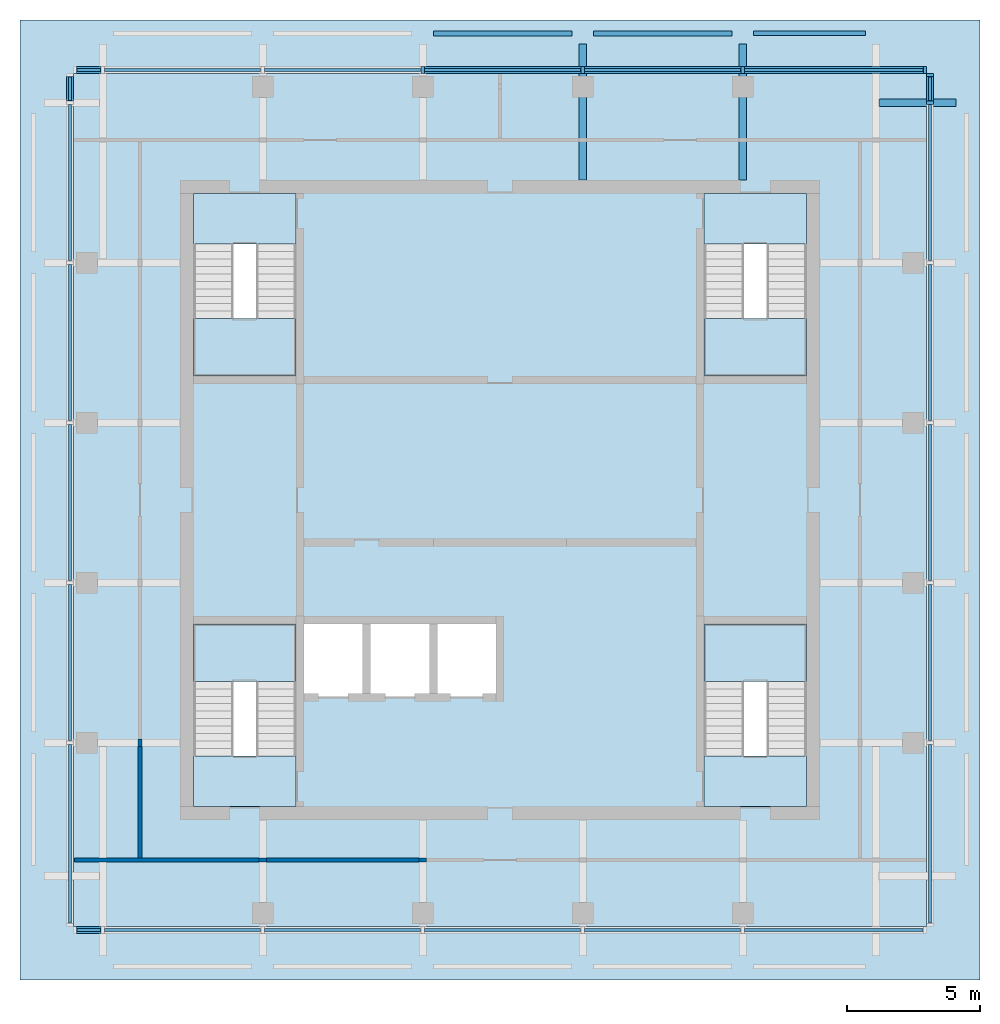
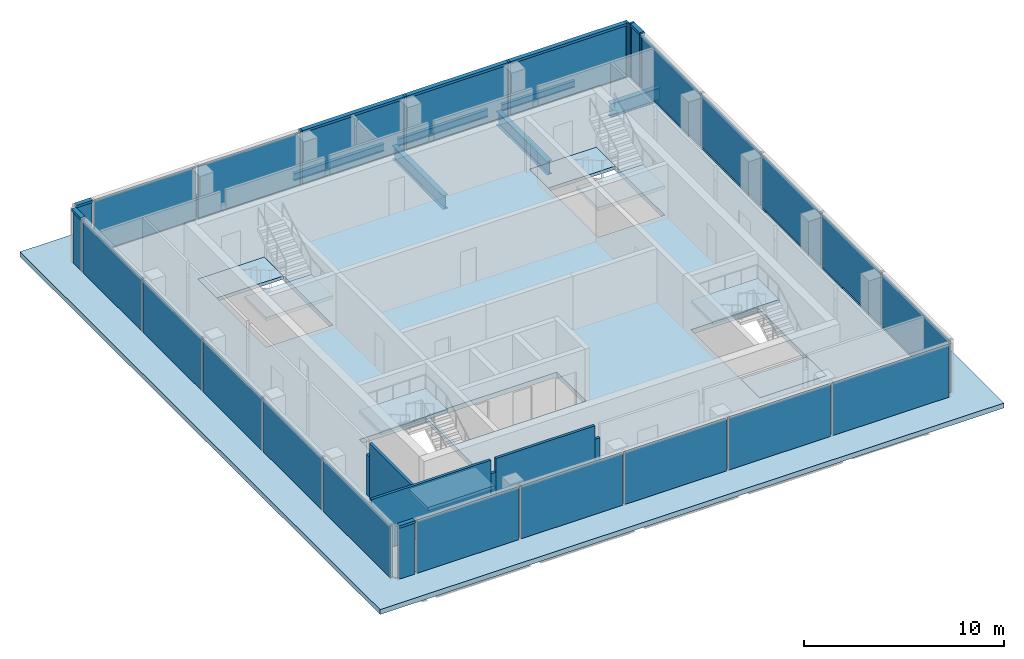
# One storey, part 2 of 5: 24 plates, 13 members, 10 slabs, 6 beams, 6 walls, 8 elements without a shape of their own.
"""IFC4 building model written with IfcOpenShell, lengths in metres."""

from ifc_helpers import new_model, si_unit, direction, frame, frame_2d, origin, origin_2d, place, context, subcontext, project, spatial, polyline, rectangle, i_section, outline, extrude, material, layer, layer_set, material_profile, profile_set, type_object, element, aggregate, save


model = new_model("IFC4")

# Units and contexts
model_context = context("Model", 3, precision=1e-05, world=origin(), true_north=direction((0.0, 1.0)))
body_context = subcontext(model_context, "Body", "Model", "MODEL_VIEW")
ifc_project = project(units=[si_unit("LENGTHUNIT", "METRE"), si_unit("AREAUNIT", "SQUARE_METRE"), si_unit("VOLUMEUNIT", "CUBIC_METRE"), si_unit("PLANEANGLEUNIT", "RADIAN"), si_unit("MASSUNIT", "GRAM", prefix="KILO")], contexts=[model_context])

# Site, building, storey
site_placement = place(None, origin())
site = spatial("IfcSite", under=ifc_project, at=site_placement, CompositionType="ELEMENT")
building_placement = place(site_placement, origin())
building = spatial("IfcBuilding", under=site, at=building_placement, Name="Amberfall Residences", CompositionType="ELEMENT")
storey_placement = place(building_placement, frame((0.0, 0.0, 294.39990234375)))
storey = spatial("IfcBuildingStorey", under=building, at=storey_placement, Name="L79 Crown", CompositionType="ELEMENT", Elevation=294.39990234375)

# Curtain wall, members
ifc_material_1 = material(Name="Bronze anodised aluminium and glass", Category="aluminium")
curtain_wall_type = type_object("IfcCurtainWallType", Name="Curtain wall CW6 crown louvre", PredefinedType="USERDEFINED", material=ifc_material_1)
curtain_wall_1_placement = place(storey_placement, origin())
curtain_wall_1 = element("IfcCurtainWall", 1, at=curtain_wall_1_placement, inside=storey, type_object=curtain_wall_type, Name="Curtain wall L79 Crown E E1", ObjectType="UNITISED CURTAIN WALL", PredefinedType="USERDEFINED")
ifc_material_2 = material(Name="Bronze anodised aluminium", Category="aluminium")
ifc_material_profile_1 = material_profile(ifc_material_2, rectangle(XDim=0.25, YDim=0.1201171875, at=origin_2d()), Name="CW6 mullion 120 x 250 bronze")
ifc_profile_set_1 = profile_set([ifc_material_profile_1], Name="Bronze anodised aluminium")
member_type_1 = type_object("IfcMemberType", Name="CW6 mullion 120 x 250 bronze", PredefinedType="MULLION", material=ifc_profile_set_1)
member_1_placement = place(storey_placement, frame((90.625, 60.39990234375, 0.0), z_axis=(0.0, 0.0, 1.0), x_axis=(-1.0, 0.0, 0.0)))
member_1 = element("IfcMember", 2, at=member_1_placement, type_object=member_type_1, Name="CW6 mullion 6", PredefinedType="MULLION", context=body_context, shape_type="SweptSolid", body=[
    extrude(rectangle(XDim=0.25, YDim=0.1201171875, at=origin_2d()), origin(), (0.0, 0.0, 1.0), 3.300048828125),
])
member_2_placement = place(storey_placement, frame((90.625, 61.43994140625, 0.0), z_axis=(0.0, 0.0, 1.0), x_axis=(-1.0, 0.0, 0.0)))
member_2 = element("IfcMember", 3, at=member_2_placement, type_object=member_type_1, Name="CW6 mullion 7", PredefinedType="MULLION", context=body_context, shape_type="SweptSolid", body=[
    extrude(rectangle(XDim=0.25, YDim=0.1201171875, at=origin_2d()), origin(), (0.0, 0.0, 1.0), 3.300048828125),
])

curtain_wall_2_placement = place(storey_placement, origin())
curtain_wall_2 = element("IfcCurtainWall", 4, at=curtain_wall_2_placement, inside=storey, type_object=curtain_wall_type, Name="Curtain wall L79 Crown N N1", ObjectType="UNITISED CURTAIN WALL", PredefinedType="USERDEFINED")
member_3_placement = place(storey_placement, frame((90.43994140625, 61.625, 0.0), z_axis=(0.0, 0.0, 1.0), x_axis=(0.0, -1.0, 0.0)))
member_3 = element("IfcMember", 5, at=member_3_placement, type_object=member_type_1, Name="CW6 mullion 1", PredefinedType="MULLION", context=body_context, shape_type="SweptSolid", body=[
    extrude(rectangle(XDim=0.25, YDim=0.1201171875, at=origin_2d()), origin(), (0.0, 0.0, 1.0), 3.300048828125),
])
member_4_placement = place(storey_placement, frame((83.60009765625, 61.625, 0.0), z_axis=(0.0, 0.0, 1.0), x_axis=(0.0, -1.0, 0.0)))
member_4 = element("IfcMember", 6, at=member_4_placement, type_object=member_type_1, Name="CW6 mullion 2", PredefinedType="MULLION", context=body_context, shape_type="SweptSolid", body=[
    extrude(rectangle(XDim=0.25, YDim=0.1201171875, at=origin_2d()), origin(), (0.0, 0.0, 1.0), 3.300048828125),
])
member_5_placement = place(storey_placement, frame((77.60009765625, 61.625, 0.0), z_axis=(0.0, 0.0, 1.0), x_axis=(0.0, -1.0, 0.0)))
member_5 = element("IfcMember", 7, at=member_5_placement, type_object=member_type_1, Name="CW6 mullion 3", PredefinedType="MULLION", context=body_context, shape_type="SweptSolid", body=[
    extrude(rectangle(XDim=0.25, YDim=0.1201171875, at=origin_2d()), origin(), (0.0, 0.0, 1.0), 3.300048828125),
])
member_6_placement = place(storey_placement, frame((71.60009765625, 61.625, 0.0), z_axis=(0.0, 0.0, 1.0), x_axis=(0.0, -1.0, 0.0)))
member_6 = element("IfcMember", 8, at=member_6_placement, type_object=member_type_1, Name="CW6 mullion 4", PredefinedType="MULLION", context=body_context, shape_type="SweptSolid", body=[
    extrude(rectangle(XDim=0.25, YDim=0.1201171875, at=origin_2d()), origin(), (0.0, 0.0, 1.0), 3.300048828125),
])

# Curtain wall, member
curtain_wall_3_placement = place(storey_placement, origin())
curtain_wall_3 = element("IfcCurtainWall", 9, at=curtain_wall_3_placement, inside=storey, type_object=curtain_wall_type, Name="Curtain wall L79 Crown S S1", ObjectType="UNITISED CURTAIN WALL", PredefinedType="USERDEFINED")
ifc_material_profile_2 = material_profile(ifc_material_2, rectangle(XDim=0.25, YDim=0.14990234375, at=origin_2d()), Name="CW6 transom 250 x 150 bronze")
ifc_profile_set_2 = profile_set([ifc_material_profile_2], Name="Bronze anodised aluminium")
member_type_2 = type_object("IfcMemberType", Name="CW6 transom 250 x 150 bronze", PredefinedType="USERDEFINED", material=ifc_profile_set_2)
member_7_placement = place(storey_placement, frame((58.6201171875, 29.375, 3.22509765625), z_axis=(1.0, 0.0, 0.0), x_axis=(0.0, 1.0, 0.0)))
member_7 = element("IfcMember", 10, at=member_7_placement, type_object=member_type_2, Name="CW6 transom 1.1", ObjectType="TRANSOM", PredefinedType="USERDEFINED", context=body_context, shape_type="SweptSolid", body=[
    extrude(rectangle(XDim=0.25, YDim=0.14990234375, at=origin_2d()), origin(), (0.0, 0.0, 1.0), 0.919921875),
])

# Member
member_8_placement = place(storey_placement, frame((90.625, 60.4599609375, 3.22509765625), z_axis=(0.0, 1.0, 0.0), x_axis=(-1.0, 0.0, 0.0)))
member_8 = element("IfcMember", 11, at=member_8_placement, type_object=member_type_2, Name="CW6 transom 6.1", ObjectType="TRANSOM", PredefinedType="USERDEFINED", context=body_context, shape_type="SweptSolid", body=[
    extrude(rectangle(XDim=0.25, YDim=0.14990234375, at=origin_2d()), origin(), (0.0, 0.0, 1.0), 0.919921875),
])

member_9_placement = place(storey_placement, frame((90.3798828125, 61.625, 3.22509765625), z_axis=(-1.0, 0.0, 0.0), x_axis=(0.0, -1.0, 0.0)))
member_9 = element("IfcMember", 12, at=member_9_placement, type_object=member_type_2, Name="CW6 transom 1.1", ObjectType="TRANSOM", PredefinedType="USERDEFINED", context=body_context, shape_type="SweptSolid", body=[
    extrude(rectangle(XDim=0.25, YDim=0.14990234375, at=origin_2d()), origin(), (0.0, 0.0, 1.0), 6.719970703125),
])

member_10_placement = place(storey_placement, frame((83.5400390625, 61.625, 3.22509765625), z_axis=(-1.0, 0.0, 0.0), x_axis=(0.0, -1.0, 0.0)))
member_10 = element("IfcMember", 13, at=member_10_placement, type_object=member_type_2, Name="CW6 transom 2.1", ObjectType="TRANSOM", PredefinedType="USERDEFINED", context=body_context, shape_type="SweptSolid", body=[
    extrude(rectangle(XDim=0.25, YDim=0.14990234375, at=origin_2d()), origin(), (0.0, 0.0, 1.0), 5.880126953125),
])

member_11_placement = place(storey_placement, frame((77.5400390625, 61.625, 3.22509765625), z_axis=(-1.0, 0.0, 0.0), x_axis=(0.0, -1.0, 0.0)))
member_11 = element("IfcMember", 14, at=member_11_placement, type_object=member_type_2, Name="CW6 transom 3.1", ObjectType="TRANSOM", PredefinedType="USERDEFINED", context=body_context, shape_type="SweptSolid", body=[
    extrude(rectangle(XDim=0.25, YDim=0.14990234375, at=origin_2d()), origin(), (0.0, 0.0, 1.0), 5.880126953125),
])

member_12_placement = place(storey_placement, frame((59.5400390625, 61.625, 3.22509765625), z_axis=(-1.0, 0.0, 0.0), x_axis=(0.0, -1.0, 0.0)))
member_12 = element("IfcMember", 15, at=member_12_placement, type_object=member_type_2, Name="CW6 transom 6.1", ObjectType="TRANSOM", PredefinedType="USERDEFINED", context=body_context, shape_type="SweptSolid", body=[
    extrude(rectangle(XDim=0.25, YDim=0.14990234375, at=origin_2d()), origin(), (0.0, 0.0, 1.0), 0.919921875),
])

# Curtain wall, member
curtain_wall_4_placement = place(storey_placement, origin())
curtain_wall_4 = element("IfcCurtainWall", 16, at=curtain_wall_4_placement, inside=storey, type_object=curtain_wall_type, Name="Curtain wall L79 Crown W W1", ObjectType="UNITISED CURTAIN WALL", PredefinedType="USERDEFINED")
member_13_placement = place(storey_placement, frame((58.375, 61.3798828125, 3.22509765625), z_axis=(0.0, -1.0, 0.0), x_axis=(1.0, 0.0, 0.0)))
member_13 = element("IfcMember", 17, at=member_13_placement, type_object=member_type_2, Name="CW6 transom 1.1", ObjectType="TRANSOM", PredefinedType="USERDEFINED", context=body_context, shape_type="SweptSolid", body=[
    extrude(rectangle(XDim=0.25, YDim=0.14990234375, at=origin_2d()), origin(), (0.0, 0.0, 1.0), 0.919921875),
])

# Beams
ifc_material_3 = material(Name="Steel S355", Category="steel")
ifc_material_profile_3 = material_profile(ifc_material_3, i_section(OverallWidth=0.177734375, OverallDepth=0.402587890625, WebThickness=0.0078125, FlangeThickness=0.010986328125, FilletRadius=0.01025390625, at=origin_2d()), Name="UB 406x178x54")
ifc_profile_set_3 = profile_set([ifc_material_profile_3], Name="Steel S355")
beam_type_1 = type_object("IfcBeamType", Name="Edge beam UB 406x178x54", PredefinedType="SPANDREL", material=ifc_profile_set_3)
beam_1_placement = place(storey_placement, frame((84.0, 63.0, -0.501220703125), z_axis=(1.0, 0.0, 0.0), x_axis=(0.0, 1.0, 0.0)))
element("IfcBeam", 18, at=beam_1_placement, inside=storey, type_object=beam_type_1, Name="Edge beam B14 L79 Crown 27", PredefinedType="SPANDREL", context=body_context, shape_type="SweptSolid", body=[
    extrude(i_section(OverallWidth=0.177734375, OverallDepth=0.402587890625, WebThickness=0.0078125, FlangeThickness=0.010986328125, FilletRadius=0.01025390625, at=origin_2d()), origin(), (0.0, 0.0, 1.0), 4.199951171875),
])
ifc_material_profile_4 = material_profile(ifc_material_3, i_section(OverallWidth=0.18994140625, OverallDepth=0.453369140625, WebThickness=0.008544921875, FlangeThickness=0.0126953125, FilletRadius=0.01025390625, at=origin_2d()), Name="UB 457x191x67")
ifc_profile_set_4 = profile_set([ifc_material_profile_4], Name="Steel S355")
beam_type_2 = type_object("IfcBeamType", Name="Edge beam UB 457x191x67", PredefinedType="SPANDREL", material=ifc_profile_set_4)
for number, where, z_axis, x_axis, name in (
    (19, (72.0, 63.0, -0.526611328125), (1.0, 0.0, 0.0), (0.0, 1.0, 0.0), "Edge beam B1 L79 Crown 25"),
    (20, (78.0, 63.0, -0.526611328125), (1.0, 0.0, 0.0), (0.0, 1.0, 0.0), "Edge beam B1 L79 Crown 26"),
):
    element("IfcBeam", number, at=place(storey_placement, frame(where, z_axis=z_axis, x_axis=x_axis)), inside=storey, type_object=beam_type_2, Name=name, PredefinedType="SPANDREL", context=body_context, shape_type="SweptSolid", body=[
        extrude(i_section(OverallWidth=0.18994140625, OverallDepth=0.453369140625, WebThickness=0.008544921875, FlangeThickness=0.0126953125, FilletRadius=0.01025390625, at=origin_2d()), origin(), (0.0, 0.0, 1.0), 5.199951171875),
    ])
ifc_material_profile_5 = material_profile(ifc_material_3, i_section(OverallWidth=0.29150390625, OverallDepth=0.8349609375, WebThickness=0.013916015625, FlangeThickness=0.018798828125, FilletRadius=0.017822265625, at=origin_2d()), Name="UB 838x292x176")
ifc_profile_set_5 = profile_set([ifc_material_profile_5], Name="Steel S355")
beam_type_3 = type_object("IfcBeamType", Name="Transfer girder UB 838x292x176", PredefinedType="BEAM", material=ifc_profile_set_5)
beam_2_placement = place(storey_placement, frame((91.60009765625, 60.39990234375, -0.71728515625), z_axis=(-1.0, 0.0, 0.0), x_axis=(0.0, -1.0, 0.0)))
element("IfcBeam", 21, at=beam_2_placement, inside=storey, type_object=beam_type_3, Name="Transfer girder B6 L79 Crown 22", PredefinedType="BEAM", context=body_context, shape_type="SweptSolid", body=[
    extrude(i_section(OverallWidth=0.29150390625, OverallDepth=0.8349609375, WebThickness=0.013916015625, FlangeThickness=0.018798828125, FilletRadius=0.017822265625, at=origin_2d()), origin(), (0.0, 0.0, 1.0), 2.880126953125),
])
for number, where, z_axis, x_axis, name in (
    (22, (77.60009765625, 62.60009765625, -0.71728515625), (0.0, -1.0, 0.0), (1.0, 0.0, 0.0), "Transfer girder B6 L79 Crown 31"),
    (23, (83.60009765625, 62.60009765625, -0.71728515625), (0.0, -1.0, 0.0), (1.0, 0.0, 0.0), "Transfer girder B6 L79 Crown 32"),
):
    element("IfcBeam", number, at=place(storey_placement, frame(where, z_axis=z_axis, x_axis=x_axis)), inside=storey, type_object=beam_type_3, Name=name, PredefinedType="BEAM", context=body_context, shape_type="SweptSolid", body=[
        extrude(i_section(OverallWidth=0.29150390625, OverallDepth=0.8349609375, WebThickness=0.013916015625, FlangeThickness=0.018798828125, FilletRadius=0.017822265625, at=origin_2d()), origin(), (0.0, 0.0, 1.0), 5.10009765625),
    ])

# Plate
ifc_material_4 = material(Name="Bronze aluminium louvre", Category="aluminium")
ifc_layer_1 = layer(ifc_material_4, 0.1201171875)
ifc_layer_set_1 = layer_set([ifc_layer_1], Name="CW6 panel 120 louvre")
plate_type = type_object("IfcPlateType", Name="CW6 panel 120 louvre", PredefinedType="CURTAIN_PANEL", material=ifc_layer_set_1)
plate_1_placement = place(storey_placement, frame((59.080078125, 29.375, 0.000244140625), z_axis=(0.0, 0.0, 1.0), x_axis=(1.0, 0.0, 0.0)))
plate_1 = element("IfcPlate", 24, at=plate_1_placement, type_object=plate_type, Name="CW6 panel 1.1", PredefinedType="CURTAIN_PANEL", context=body_context, shape_type="SweptSolid", body=[
    extrude(rectangle(XDim=0.89599609375, YDim=0.1201171875, at=origin_2d()), origin(), (0.0, 0.0, 1.0), 3.14990234375),
])

plate_2_placement = place(storey_placement, frame((62.60009765625, 29.375, 0.000244140625), z_axis=(0.0, 0.0, 1.0), x_axis=(1.0, 0.0, 0.0)))
plate_2 = element("IfcPlate", 25, at=plate_2_placement, type_object=plate_type, Name="CW6 panel 2.1", PredefinedType="CURTAIN_PANEL", context=body_context, shape_type="SweptSolid", body=[
    extrude(rectangle(XDim=5.85595703125, YDim=0.1201171875, at=origin_2d()), origin(), (0.0, 0.0, 1.0), 3.14990234375),
])

plate_3_placement = place(storey_placement, frame((68.60009765625, 29.375, 0.000244140625), z_axis=(0.0, 0.0, 1.0), x_axis=(1.0, 0.0, 0.0)))
plate_3 = element("IfcPlate", 26, at=plate_3_placement, type_object=plate_type, Name="CW6 panel 3.1", PredefinedType="CURTAIN_PANEL", context=body_context, shape_type="SweptSolid", body=[
    extrude(rectangle(XDim=5.85595703125, YDim=0.1201171875, at=origin_2d()), origin(), (0.0, 0.0, 1.0), 3.14990234375),
])

plate_4_placement = place(storey_placement, frame((74.60009765625, 29.375, 0.000244140625), z_axis=(0.0, 0.0, 1.0), x_axis=(1.0, 0.0, 0.0)))
plate_4 = element("IfcPlate", 27, at=plate_4_placement, type_object=plate_type, Name="CW6 panel 4.1", PredefinedType="CURTAIN_PANEL", context=body_context, shape_type="SweptSolid", body=[
    extrude(rectangle(XDim=5.85595703125, YDim=0.1201171875, at=origin_2d()), origin(), (0.0, 0.0, 1.0), 3.14990234375),
])

plate_5_placement = place(storey_placement, frame((80.60009765625, 29.375, 0.000244140625), z_axis=(0.0, 0.0, 1.0), x_axis=(1.0, 0.0, 0.0)))
plate_5 = element("IfcPlate", 28, at=plate_5_placement, type_object=plate_type, Name="CW6 panel 5.1", PredefinedType="CURTAIN_PANEL", context=body_context, shape_type="SweptSolid", body=[
    extrude(rectangle(XDim=5.85595703125, YDim=0.1201171875, at=origin_2d()), origin(), (0.0, 0.0, 1.0), 3.14990234375),
])

plate_6_placement = place(storey_placement, frame((87.02001953125, 29.375, 0.000244140625), z_axis=(0.0, 0.0, 1.0), x_axis=(1.0, 0.0, 0.0)))
plate_6 = element("IfcPlate", 29, at=plate_6_placement, type_object=plate_type, Name="CW6 panel 6.1", PredefinedType="CURTAIN_PANEL", context=body_context, shape_type="SweptSolid", body=[
    extrude(rectangle(XDim=6.696044921875, YDim=0.1201171875, at=origin_2d()), origin(), (0.0, 0.0, 1.0), 3.14990234375),
])

aggregate(curtain_wall_3, [member_7, plate_1, plate_2, plate_3, plate_4, plate_5, plate_6])

plate_7_placement = place(storey_placement, frame((90.625, 32.97998046875, 0.000244140625), z_axis=(0.0, 0.0, 1.0), x_axis=(0.0, 1.0, 0.0)))
plate_7 = element("IfcPlate", 30, at=plate_7_placement, type_object=plate_type, Name="CW6 panel 1.1", PredefinedType="CURTAIN_PANEL", context=body_context, shape_type="SweptSolid", body=[
    extrude(rectangle(XDim=6.696044921875, YDim=0.1201171875, at=origin_2d()), origin(), (0.0, 0.0, 1.0), 3.14990234375),
])

plate_8_placement = place(storey_placement, frame((90.625, 39.39990234375, 0.000244140625), z_axis=(0.0, 0.0, 1.0), x_axis=(0.0, 1.0, 0.0)))
plate_8 = element("IfcPlate", 31, at=plate_8_placement, type_object=plate_type, Name="CW6 panel 2.1", PredefinedType="CURTAIN_PANEL", context=body_context, shape_type="SweptSolid", body=[
    extrude(rectangle(XDim=5.85595703125, YDim=0.1201171875, at=origin_2d()), origin(), (0.0, 0.0, 1.0), 3.14990234375),
])

plate_9_placement = place(storey_placement, frame((90.625, 45.39990234375, 0.000244140625), z_axis=(0.0, 0.0, 1.0), x_axis=(0.0, 1.0, 0.0)))
plate_9 = element("IfcPlate", 32, at=plate_9_placement, type_object=plate_type, Name="CW6 panel 3.1", PredefinedType="CURTAIN_PANEL", context=body_context, shape_type="SweptSolid", body=[
    extrude(rectangle(XDim=5.85595703125, YDim=0.1201171875, at=origin_2d()), origin(), (0.0, 0.0, 1.0), 3.14990234375),
])

plate_10_placement = place(storey_placement, frame((90.625, 51.39990234375, 0.000244140625), z_axis=(0.0, 0.0, 1.0), x_axis=(0.0, 1.0, 0.0)))
plate_10 = element("IfcPlate", 33, at=plate_10_placement, type_object=plate_type, Name="CW6 panel 4.1", PredefinedType="CURTAIN_PANEL", context=body_context, shape_type="SweptSolid", body=[
    extrude(rectangle(XDim=5.85595703125, YDim=0.1201171875, at=origin_2d()), origin(), (0.0, 0.0, 1.0), 3.14990234375),
])

plate_11_placement = place(storey_placement, frame((90.625, 57.39990234375, 0.000244140625), z_axis=(0.0, 0.0, 1.0), x_axis=(0.0, 1.0, 0.0)))
plate_11 = element("IfcPlate", 34, at=plate_11_placement, type_object=plate_type, Name="CW6 panel 5.1", PredefinedType="CURTAIN_PANEL", context=body_context, shape_type="SweptSolid", body=[
    extrude(rectangle(XDim=5.85595703125, YDim=0.1201171875, at=origin_2d()), origin(), (0.0, 0.0, 1.0), 3.14990234375),
])

plate_12_placement = place(storey_placement, frame((90.625, 60.919921875, 0.000244140625), z_axis=(0.0, 0.0, 1.0), x_axis=(0.0, 1.0, 0.0)))
plate_12 = element("IfcPlate", 35, at=plate_12_placement, type_object=plate_type, Name="CW6 panel 6.1", PredefinedType="CURTAIN_PANEL", context=body_context, shape_type="SweptSolid", body=[
    extrude(rectangle(XDim=0.89599609375, YDim=0.1201171875, at=origin_2d()), origin(), (0.0, 0.0, 1.0), 3.14990234375),
])

aggregate(curtain_wall_1, [member_1, member_2, plate_7, plate_8, plate_9, plate_10, plate_11, member_8, plate_12])

plate_13_placement = place(storey_placement, frame((87.02001953125, 61.625, 0.000244140625), z_axis=(0.0, 0.0, 1.0), x_axis=(-1.0, 0.0, 0.0)))
plate_13 = element("IfcPlate", 36, at=plate_13_placement, type_object=plate_type, Name="CW6 panel 1.1", PredefinedType="CURTAIN_PANEL", context=body_context, shape_type="SweptSolid", body=[
    extrude(rectangle(XDim=6.696044921875, YDim=0.1201171875, at=origin_2d()), origin(), (0.0, 0.0, 1.0), 3.14990234375),
])

plate_14_placement = place(storey_placement, frame((80.60009765625, 61.625, 0.000244140625), z_axis=(0.0, 0.0, 1.0), x_axis=(-1.0, 0.0, 0.0)))
plate_14 = element("IfcPlate", 37, at=plate_14_placement, type_object=plate_type, Name="CW6 panel 2.1", PredefinedType="CURTAIN_PANEL", context=body_context, shape_type="SweptSolid", body=[
    extrude(rectangle(XDim=5.85595703125, YDim=0.1201171875, at=origin_2d()), origin(), (0.0, 0.0, 1.0), 3.14990234375),
])

plate_15_placement = place(storey_placement, frame((74.60009765625, 61.625, 0.000244140625), z_axis=(0.0, 0.0, 1.0), x_axis=(-1.0, 0.0, 0.0)))
plate_15 = element("IfcPlate", 38, at=plate_15_placement, type_object=plate_type, Name="CW6 panel 3.1", PredefinedType="CURTAIN_PANEL", context=body_context, shape_type="SweptSolid", body=[
    extrude(rectangle(XDim=5.85595703125, YDim=0.1201171875, at=origin_2d()), origin(), (0.0, 0.0, 1.0), 3.14990234375),
])

plate_16_placement = place(storey_placement, frame((68.60009765625, 61.625, 0.000244140625), z_axis=(0.0, 0.0, 1.0), x_axis=(-1.0, 0.0, 0.0)))
plate_16 = element("IfcPlate", 39, at=plate_16_placement, type_object=plate_type, Name="CW6 panel 4.1", PredefinedType="CURTAIN_PANEL", context=body_context, shape_type="SweptSolid", body=[
    extrude(rectangle(XDim=5.85595703125, YDim=0.1201171875, at=origin_2d()), origin(), (0.0, 0.0, 1.0), 3.14990234375),
])

plate_17_placement = place(storey_placement, frame((62.60009765625, 61.625, 0.000244140625), z_axis=(0.0, 0.0, 1.0), x_axis=(-1.0, 0.0, 0.0)))
plate_17 = element("IfcPlate", 40, at=plate_17_placement, type_object=plate_type, Name="CW6 panel 5.1", PredefinedType="CURTAIN_PANEL", context=body_context, shape_type="SweptSolid", body=[
    extrude(rectangle(XDim=5.85595703125, YDim=0.1201171875, at=origin_2d()), origin(), (0.0, 0.0, 1.0), 3.14990234375),
])

plate_18_placement = place(storey_placement, frame((59.080078125, 61.625, 0.000244140625), z_axis=(0.0, 0.0, 1.0), x_axis=(-1.0, 0.0, 0.0)))
plate_18 = element("IfcPlate", 41, at=plate_18_placement, type_object=plate_type, Name="CW6 panel 6.1", PredefinedType="CURTAIN_PANEL", context=body_context, shape_type="SweptSolid", body=[
    extrude(rectangle(XDim=0.89599609375, YDim=0.1201171875, at=origin_2d()), origin(), (0.0, 0.0, 1.0), 3.14990234375),
])

aggregate(curtain_wall_2, [member_3, member_4, member_5, member_6, member_9, plate_13, member_10, plate_14, member_11, plate_15, plate_16, plate_17, member_12, plate_18])

plate_19_placement = place(storey_placement, frame((58.375, 60.919921875, 0.000244140625), z_axis=(0.0, 0.0, 1.0), x_axis=(0.0, -1.0, 0.0)))
plate_19 = element("IfcPlate", 42, at=plate_19_placement, type_object=plate_type, Name="CW6 panel 1.1", PredefinedType="CURTAIN_PANEL", context=body_context, shape_type="SweptSolid", body=[
    extrude(rectangle(XDim=0.89599609375, YDim=0.1201171875, at=origin_2d()), origin(), (0.0, 0.0, 1.0), 3.14990234375),
])

plate_20_placement = place(storey_placement, frame((58.375, 57.39990234375, 0.000244140625), z_axis=(0.0, 0.0, 1.0), x_axis=(0.0, -1.0, 0.0)))
plate_20 = element("IfcPlate", 43, at=plate_20_placement, type_object=plate_type, Name="CW6 panel 2.1", PredefinedType="CURTAIN_PANEL", context=body_context, shape_type="SweptSolid", body=[
    extrude(rectangle(XDim=5.85595703125, YDim=0.1201171875, at=origin_2d()), origin(), (0.0, 0.0, 1.0), 3.14990234375),
])

plate_21_placement = place(storey_placement, frame((58.375, 51.39990234375, 0.000244140625), z_axis=(0.0, 0.0, 1.0), x_axis=(0.0, -1.0, 0.0)))
plate_21 = element("IfcPlate", 44, at=plate_21_placement, type_object=plate_type, Name="CW6 panel 3.1", PredefinedType="CURTAIN_PANEL", context=body_context, shape_type="SweptSolid", body=[
    extrude(rectangle(XDim=5.85595703125, YDim=0.1201171875, at=origin_2d()), origin(), (0.0, 0.0, 1.0), 3.14990234375),
])

plate_22_placement = place(storey_placement, frame((58.375, 45.39990234375, 0.000244140625), z_axis=(0.0, 0.0, 1.0), x_axis=(0.0, -1.0, 0.0)))
plate_22 = element("IfcPlate", 45, at=plate_22_placement, type_object=plate_type, Name="CW6 panel 4.1", PredefinedType="CURTAIN_PANEL", context=body_context, shape_type="SweptSolid", body=[
    extrude(rectangle(XDim=5.85595703125, YDim=0.1201171875, at=origin_2d()), origin(), (0.0, 0.0, 1.0), 3.14990234375),
])

plate_23_placement = place(storey_placement, frame((58.375, 39.39990234375, 0.000244140625), z_axis=(0.0, 0.0, 1.0), x_axis=(0.0, -1.0, 0.0)))
plate_23 = element("IfcPlate", 46, at=plate_23_placement, type_object=plate_type, Name="CW6 panel 5.1", PredefinedType="CURTAIN_PANEL", context=body_context, shape_type="SweptSolid", body=[
    extrude(rectangle(XDim=5.85595703125, YDim=0.1201171875, at=origin_2d()), origin(), (0.0, 0.0, 1.0), 3.14990234375),
])

plate_24_placement = place(storey_placement, frame((58.375, 32.97998046875, 0.000244140625), z_axis=(0.0, 0.0, 1.0), x_axis=(0.0, -1.0, 0.0)))
plate_24 = element("IfcPlate", 47, at=plate_24_placement, type_object=plate_type, Name="CW6 panel 6.1", PredefinedType="CURTAIN_PANEL", context=body_context, shape_type="SweptSolid", body=[
    extrude(rectangle(XDim=6.696044921875, YDim=0.1201171875, at=origin_2d()), origin(), (0.0, 0.0, 1.0), 3.14990234375),
])

aggregate(curtain_wall_4, [member_13, plate_19, plate_20, plate_21, plate_22, plate_23, plate_24])

# Slabs
ifc_material_5 = material(Name="Concrete C50", Category="concrete")
ifc_layer_2 = layer(ifc_material_5, 0.300048828125)
ifc_layer_set_2 = layer_set([ifc_layer_2], Name="Crown floor slab 300 C50")
slab_type_1 = type_object("IfcSlabType", Name="Crown floor slab 300 C50", PredefinedType="FLOOR", material=ifc_layer_set_2)
slab_1_placement = place(storey_placement, frame((0.0, 0.0, -0.2998046875)))
element("IfcSlab", 48, at=slab_1_placement, inside=storey, type_object=slab_type_1, Name="Floor slab S22 L79 Crown", PredefinedType="FLOOR", context=body_context, shape_type="SweptSolid", body=[
    extrude(outline(polyline([(58.5, 61.5), (90.5, 61.5), (90.5, 29.5), (58.5, 29.5), (58.5, 61.5)]), holes=[polyline([(86.0, 40.85009765625), (82.14990234375, 40.85009765625), (82.14990234375, 34.0), (86.0, 34.0), (86.0, 40.85009765625)]), polyline([(86.0, 57.0), (82.14990234375, 57.0), (82.14990234375, 50.14990234375), (86.0, 50.14990234375), (86.0, 57.0)]), polyline([(69.5, 38.10009765625), (72.0, 38.10009765625), (74.5, 38.10009765625), (74.5, 41.0), (72.0, 41.0), (69.5, 41.0), (67.0, 41.0), (67.0, 38.10009765625), (69.5, 38.10009765625)]), polyline([(63.0, 40.85009765625), (63.0, 34.0), (66.85009765625, 34.0), (66.85009765625, 40.85009765625), (63.0, 40.85009765625)]), polyline([(66.85009765625, 57.0), (63.0, 57.0), (63.0, 50.14990234375), (66.85009765625, 50.14990234375), (66.85009765625, 57.0)])]), origin(), (0.0, 0.0, 1.0), 0.2998046875),
])
ifc_layer_3 = layer(ifc_material_5, 0.300048828125)
ifc_layer_set_3 = layer_set([ifc_layer_3], Name="Roof slab 300 C50")
slab_type_2 = type_object("IfcSlabType", Name="Roof slab 300 C50", PredefinedType="ROOF", material=ifc_layer_set_3)
slab_2_placement = place(storey_placement, frame((0.0, 0.0, -0.2998046875)))
element("IfcSlab", 49, at=slab_2_placement, inside=storey, type_object=slab_type_2, Name="Roof slab S23 L79 Crown 1", PredefinedType="ROOF", context=body_context, shape_type="SweptSolid", body=[
    extrude(outline(polyline([(56.5, 27.5), (56.5, 63.5), (92.5, 63.5), (92.5, 27.5), (56.5, 27.5)]), holes=[polyline([(90.5, 61.5), (58.5, 61.5), (58.5, 29.5), (90.5, 29.5), (90.5, 61.5)])]), origin(), (0.0, 0.0, 1.0), 0.2998046875),
])

# Stair, slabs
ifc_material_6 = material(Name="Concrete C40", Category="concrete")
stair_type = type_object("IfcStairType", Name="Exit stair 22 risers 163.6 mm", PredefinedType="HALF_TURN_STAIR", material=ifc_material_6)
stair_1_placement = place(storey_placement, origin())
stair_1 = element("IfcStair", 50, at=stair_1_placement, inside=storey, type_object=stair_type, Name="L79 Crown Exit stair 1", PredefinedType="HALF_TURN_STAIR")
ifc_layer_4 = layer(ifc_material_6, 0.199951171875)
ifc_layer_set_4 = layer_set([ifc_layer_4], Name="Stair landing 200")
slab_type_3 = type_object("IfcSlabType", Name="Stair landing 200", PredefinedType="LANDING", material=ifc_layer_set_4)
slab_3_placement = place(storey_placement, frame((0.0, 0.0, 1.60009765625)))
slab_3 = element("IfcSlab", 51, at=slab_3_placement, type_object=slab_type_3, Name="ST5 landing 1", PredefinedType="LANDING", context=body_context, shape_type="SweptSolid", body=[
    extrude(outline(polyline([(66.85009765625, 38.699951171875), (66.85009765625, 40.85009765625), (63.0, 40.85009765625), (63.0, 38.699951171875), (66.85009765625, 38.699951171875)])), origin(), (0.0, 0.0, 1.0), 0.199951171875),
])
slab_4_placement = place(storey_placement, frame((0.0, 0.0, -0.199951171875)))
slab_4 = element("IfcSlab", 52, at=slab_4_placement, type_object=slab_type_3, Name="ST5 landing 2", PredefinedType="LANDING", context=body_context, shape_type="SweptSolid", body=[
    extrude(outline(polyline([(66.85009765625, 34.0), (66.85009765625, 35.89990234375), (63.0, 35.89990234375), (63.0, 34.0), (66.85009765625, 34.0)])), origin(), (0.0, 0.0, 1.0), 0.199951171875),
])
aggregate(stair_1, [slab_3, slab_4])

stair_2_placement = place(storey_placement, origin())
stair_2 = element("IfcStair", 53, at=stair_2_placement, inside=storey, type_object=stair_type, Name="L79 Crown Exit stair 2", PredefinedType="HALF_TURN_STAIR")
slab_5_placement = place(storey_placement, frame((0.0, 0.0, 1.60009765625)))
slab_5 = element("IfcSlab", 54, at=slab_5_placement, type_object=slab_type_3, Name="ST5 landing 1", PredefinedType="LANDING", context=body_context, shape_type="SweptSolid", body=[
    extrude(outline(polyline([(86.0, 38.699951171875), (86.0, 40.85009765625), (82.14990234375, 40.85009765625), (82.14990234375, 38.699951171875), (86.0, 38.699951171875)])), origin(), (0.0, 0.0, 1.0), 0.199951171875),
])
slab_6_placement = place(storey_placement, frame((0.0, 0.0, -0.199951171875)))
slab_6 = element("IfcSlab", 55, at=slab_6_placement, type_object=slab_type_3, Name="ST5 landing 2", PredefinedType="LANDING", context=body_context, shape_type="SweptSolid", body=[
    extrude(outline(polyline([(86.0, 34.0), (86.0, 35.89990234375), (82.14990234375, 35.89990234375), (82.14990234375, 34.0), (86.0, 34.0)])), origin(), (0.0, 0.0, 1.0), 0.199951171875),
])
aggregate(stair_2, [slab_5, slab_6])

stair_3_placement = place(storey_placement, origin())
stair_3 = element("IfcStair", 56, at=stair_3_placement, inside=storey, type_object=stair_type, Name="L79 Crown Exit stair 3", PredefinedType="HALF_TURN_STAIR")
slab_7_placement = place(storey_placement, frame((0.0, 0.0, 1.60009765625)))
slab_7 = element("IfcSlab", 57, at=slab_7_placement, type_object=slab_type_3, Name="ST5 landing 1", PredefinedType="LANDING", context=body_context, shape_type="SweptSolid", body=[
    extrude(outline(polyline([(82.14990234375, 52.300048828125), (82.14990234375, 50.14990234375), (86.0, 50.14990234375), (86.0, 52.300048828125), (82.14990234375, 52.300048828125)])), origin(), (0.0, 0.0, 1.0), 0.199951171875),
])
slab_8_placement = place(storey_placement, frame((0.0, 0.0, -0.199951171875)))
slab_8 = element("IfcSlab", 58, at=slab_8_placement, type_object=slab_type_3, Name="ST5 landing 2", PredefinedType="LANDING", context=body_context, shape_type="SweptSolid", body=[
    extrude(outline(polyline([(82.14990234375, 57.0), (82.14990234375, 55.10009765625), (86.0, 55.10009765625), (86.0, 57.0), (82.14990234375, 57.0)])), origin(), (0.0, 0.0, 1.0), 0.199951171875),
])
aggregate(stair_3, [slab_7, slab_8])

stair_4_placement = place(storey_placement, origin())
stair_4 = element("IfcStair", 59, at=stair_4_placement, inside=storey, type_object=stair_type, Name="L79 Crown Exit stair 4", PredefinedType="HALF_TURN_STAIR")
slab_9_placement = place(storey_placement, frame((0.0, 0.0, 1.60009765625)))
slab_9 = element("IfcSlab", 60, at=slab_9_placement, type_object=slab_type_3, Name="ST5 landing 1", PredefinedType="LANDING", context=body_context, shape_type="SweptSolid", body=[
    extrude(outline(polyline([(63.0, 52.300048828125), (63.0, 50.14990234375), (66.85009765625, 50.14990234375), (66.85009765625, 52.300048828125), (63.0, 52.300048828125)])), origin(), (0.0, 0.0, 1.0), 0.199951171875),
])
slab_10_placement = place(storey_placement, frame((0.0, 0.0, -0.199951171875)))
slab_10 = element("IfcSlab", 61, at=slab_10_placement, type_object=slab_type_3, Name="ST5 landing 2", PredefinedType="LANDING", context=body_context, shape_type="SweptSolid", body=[
    extrude(outline(polyline([(63.0, 57.0), (63.0, 55.10009765625), (66.85009765625, 55.10009765625), (66.85009765625, 57.0), (63.0, 57.0)])), origin(), (0.0, 0.0, 1.0), 0.199951171875),
])
aggregate(stair_4, [slab_9, slab_10])

# Walls
ifc_material_7 = material(Name="Fire-rated gypsum board on steel studs", Category="steel")
ifc_layer_5 = layer(ifc_material_7, 0.14990234375)
ifc_layer_set_5 = layer_set([ifc_layer_5], Name="Partition 150 fire-rated")
wall_type = type_object("IfcWallType", Name="Partition 150 fire-rated", PredefinedType="PARTITIONING", material=ifc_layer_set_5)
wall_1_placement = place(storey_placement, frame((58.550048828125, 32.0, 0.0), z_axis=(0.0, 0.0, 1.0), x_axis=(1.0, 0.0, 0.0)))
element("IfcWall", 62, at=wall_1_placement, inside=storey, type_object=wall_type, Name="Partition 150 fire-rated L79 Crown 001", PredefinedType="PARTITIONING", context=body_context, shape_type="SweptSolid", body=[
    extrude(rectangle(XDim=6.904052734375, YDim=0.14990234375, at=frame_2d((3.4521484375, 0.0))), origin(), (0.0, 0.0, 1.0), 3.300048828125),
])
wall_2_placement = place(storey_placement, frame((65.4541015625, 32.0, 0.0), z_axis=(0.0, 0.0, 1.0), x_axis=(1.0, 0.0, 0.0)))
element("IfcWall", 63, at=wall_2_placement, inside=storey, type_object=wall_type, Name="Partition 150 fire-rated L79 Crown 002", PredefinedType="PARTITIONING", context=body_context, shape_type="SweptSolid", body=[
    extrude(rectangle(XDim=0.291748046875, YDim=0.14990234375, at=frame_2d((0.14599609375, 0.0))), origin(), (0.0, 0.0, 1.0), 2.465087890625),
])
wall_3_placement = place(storey_placement, frame((65.745849609375, 32.0, 0.0), z_axis=(0.0, 0.0, 1.0), x_axis=(1.0, 0.0, 0.0)))
element("IfcWall", 64, at=wall_3_placement, inside=storey, type_object=wall_type, Name="Partition 150 fire-rated L79 Crown 003", PredefinedType="PARTITIONING", context=body_context, shape_type="SweptSolid", body=[
    extrude(rectangle(XDim=5.708251953125, YDim=0.14990234375, at=frame_2d((2.85400390625, 0.0))), origin(), (0.0, 0.0, 1.0), 3.300048828125),
])
wall_4_placement = place(storey_placement, frame((71.4541015625, 32.0, 0.0), z_axis=(0.0, 0.0, 1.0), x_axis=(1.0, 0.0, 0.0)))
element("IfcWall", 65, at=wall_4_placement, inside=storey, type_object=wall_type, Name="Partition 150 fire-rated L79 Crown 004", PredefinedType="PARTITIONING", context=body_context, shape_type="SweptSolid", body=[
    extrude(rectangle(XDim=0.291748046875, YDim=0.14990234375, at=frame_2d((0.14599609375, 0.0))), origin(), (0.0, 0.0, 1.0), 2.465087890625),
])
wall_5_placement = place(storey_placement, frame((61.0, 32.074951171875, 0.0), z_axis=(0.0, 0.0, 1.0), x_axis=(0.0, 1.0, 0.0)))
element("IfcWall", 66, at=wall_5_placement, inside=storey, type_object=wall_type, Name="Partition 150 fire-rated L79 Crown 019", PredefinedType="PARTITIONING", context=body_context, shape_type="SweptSolid", body=[
    extrude(rectangle(XDim=4.17919921875, YDim=0.14990234375, at=frame_2d((2.089599609375, 0.0))), origin(), (0.0, 0.0, 1.0), 3.300048828125),
])
wall_6_placement = place(storey_placement, frame((61.0, 36.254150390625, 0.0), z_axis=(0.0, 0.0, 1.0), x_axis=(0.0, 1.0, 0.0)))
element("IfcWall", 67, at=wall_6_placement, inside=storey, type_object=wall_type, Name="Partition 150 fire-rated L79 Crown 020", PredefinedType="PARTITIONING", context=body_context, shape_type="SweptSolid", body=[
    extrude(rectangle(XDim=0.291748046875, YDim=0.14990234375, at=frame_2d((0.14599609375, 0.0))), origin(), (0.0, 0.0, 1.0), 2.465087890625),
])

save(model, "model.ifc")
